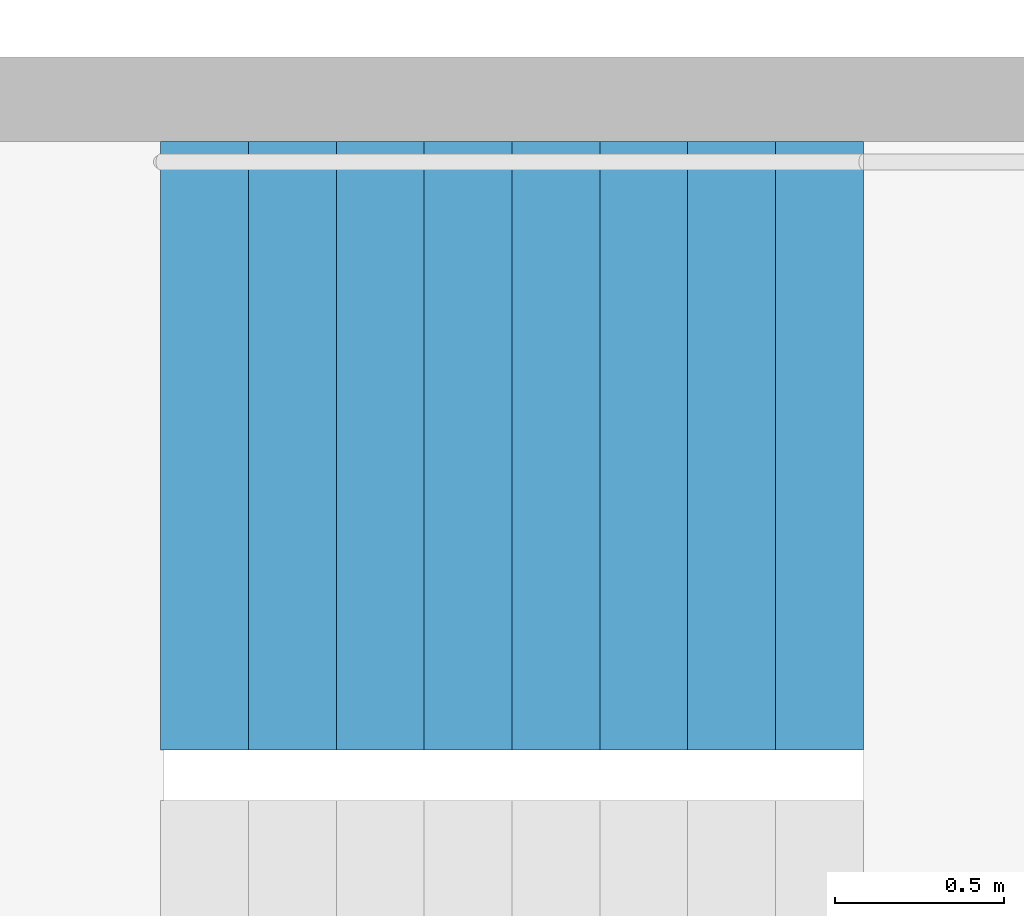
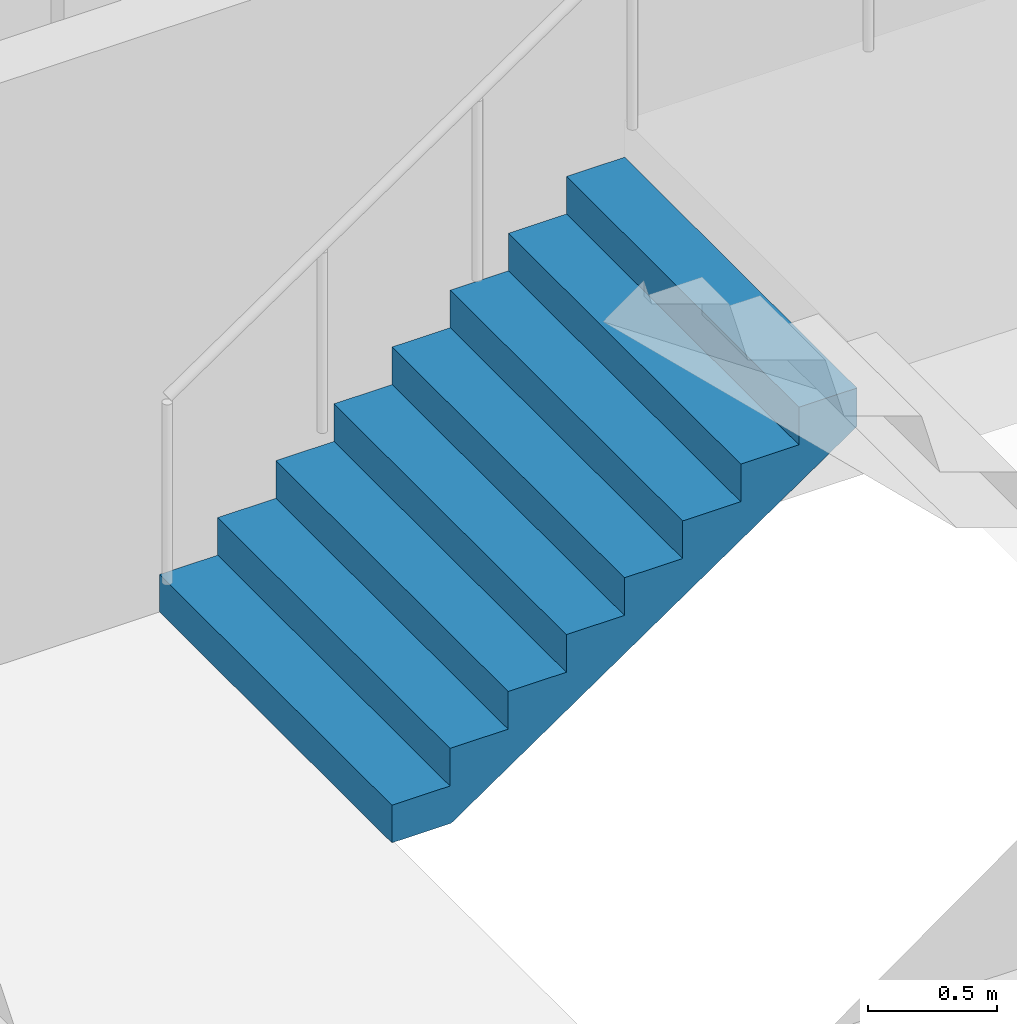
# One storey, part 23 of 30: 1 stair flight, 1 element without a shape of its own.
"""IFC4 building model written with IfcOpenShell, lengths in metres."""

from ifc_helpers import new_model, si_unit, direction, frame, origin, place, context, subcontext, project, spatial, triangles, material, type_object, element, aggregate, save


model = new_model("IFC4")

# Units and contexts
model_context = context("Model", 3, precision=1e-05, world=origin(), true_north=direction((0.0, 1.0)))
body_context = subcontext(model_context, "Body", "Model", "MODEL_VIEW")
ifc_project = project(units=[si_unit("LENGTHUNIT", "METRE"), si_unit("AREAUNIT", "SQUARE_METRE"), si_unit("VOLUMEUNIT", "CUBIC_METRE"), si_unit("PLANEANGLEUNIT", "RADIAN"), si_unit("MASSUNIT", "GRAM", prefix="KILO")], contexts=[model_context])

# Site, building, storey
site_placement = place(None, origin())
site = spatial("IfcSite", under=ifc_project, at=site_placement, CompositionType="ELEMENT")
building_placement = place(site_placement, origin())
building = spatial("IfcBuilding", under=site, at=building_placement, Name="Hakoniwa Tower and Hamabe Station Hall", CompositionType="ELEMENT")
storey_placement = place(building_placement, frame((0.0, 0.0, 245.39990234375)))
storey = spatial("IfcBuildingStorey", under=building, at=storey_placement, Name="L69", CompositionType="ELEMENT", Elevation=245.39990234375)

# Stair, stair flight
ifc_material_1 = material(Name="Concrete C40", Category="concrete")
stair_type = type_object("IfcStairType", Name="ESCAPE STAIR 1800", PredefinedType="HALF_TURN_STAIR", material=ifc_material_1)
stair_placement = place(storey_placement, origin())
stair = element("IfcStair", 1, at=stair_placement, inside=storey, type_object=stair_type, Name="Escape stair ST-4 L69", PredefinedType="HALF_TURN_STAIR")
ifc_material_2 = material(Name="Concrete C40", Category="concrete")
stair_flight_type = type_object("IfcStairFlightType", Name="STAIR FLIGHT 1800", PredefinedType="STRAIGHT", material=ifc_material_2)
stair_flight_placement = place(storey_placement, frame((23.39990234375, -4.64990234375, 0.0), z_axis=(0.0, 0.0, 1.0), x_axis=(1.0, 0.0, 0.0)))
stair_flight = element("IfcStairFlight", 2, at=stair_flight_placement, type_object=stair_flight_type, Name="ST-4 flight 1", NumberOfRisers=9, NumberOfTreads=8, PredefinedType="STRAIGHT", RiserHeight=0.177777778, TreadLength=0.26, context=body_context, shape_type="Tessellation", body=[
    triangles([(0.0, 0.89990234375, 0.0), (0.260009765625, 0.89990234375, 0.0), (0.265625, 0.89990234375, 0.0), (0.52001953125, 0.89990234375, 0.174072265625), (0.780029296875, 0.89990234375, 0.351806640625), (1.0400390625, 0.89990234375, 0.529541015625), (1.300048828125, 0.89990234375, 0.707275390625), (1.56005859375, 0.89990234375, 0.885009765625), (1.820068359375, 0.89990234375, 1.062744140625), (2.080078125, 0.89990234375, 1.24072265625), (2.080078125, 0.89990234375, 1.422119140625), (1.820068359375, 0.89990234375, 1.422119140625), (1.820068359375, 0.89990234375, 1.244384765625), (1.56005859375, 0.89990234375, 1.244384765625), (1.56005859375, 0.89990234375, 1.066650390625), (1.300048828125, 0.89990234375, 1.066650390625), (1.300048828125, 0.89990234375, 0.888916015625), (1.0400390625, 0.89990234375, 0.888916015625), (1.0400390625, 0.89990234375, 0.711181640625), (0.780029296875, 0.89990234375, 0.711181640625), (0.780029296875, 0.89990234375, 0.533447265625), (0.52001953125, 0.89990234375, 0.533447265625), (0.52001953125, 0.89990234375, 0.35546875), (0.265625, 0.89990234375, 0.35546875), (0.260009765625, 0.89990234375, 0.35546875), (0.260009765625, 0.89990234375, 0.177734375), (0.0, 0.89990234375, 0.177734375), (0.0, 0.06005859375, 0.0), (0.260009765625, 0.06005859375, 0.0), (0.265625, 0.06005859375, 0.0), (0.52001953125, 0.06005859375, 0.174072265625), (0.780029296875, 0.06005859375, 0.351806640625), (1.0400390625, 0.06005859375, 0.529541015625), (1.300048828125, 0.06005859375, 0.707275390625), (1.56005859375, 0.06005859375, 0.885009765625), (1.820068359375, 0.06005859375, 1.062744140625), (2.080078125, 0.06005859375, 1.24072265625), (2.080078125, 0.06005859375, 1.422119140625), (1.820068359375, 0.06005859375, 1.422119140625), (1.820068359375, 0.06005859375, 1.244384765625), (1.56005859375, 0.06005859375, 1.244384765625), (1.56005859375, 0.06005859375, 1.066650390625), (1.300048828125, 0.06005859375, 1.066650390625), (1.300048828125, 0.06005859375, 0.888916015625), (1.0400390625, 0.06005859375, 0.888916015625), (1.0400390625, 0.06005859375, 0.711181640625), (0.780029296875, 0.06005859375, 0.711181640625), (0.780029296875, 0.06005859375, 0.533447265625), (0.52001953125, 0.06005859375, 0.533447265625), (0.52001953125, 0.06005859375, 0.35546875), (0.265625, 0.06005859375, 0.35546875), (0.260009765625, 0.06005859375, 0.35546875), (0.260009765625, 0.06005859375, 0.177734375), (0.0, 0.06005859375, 0.177734375), (0.0, 0.04296875, 0.0), (0.260009765625, 0.04296875, 0.0), (0.265625, 0.04296875, 0.0), (0.52001953125, 0.04296875, 0.174072265625), (0.780029296875, 0.04296875, 0.351806640625), (1.0400390625, 0.04296875, 0.529541015625), (1.300048828125, 0.04296875, 0.707275390625), (1.56005859375, 0.04296875, 0.885009765625), (1.820068359375, 0.04296875, 1.062744140625), (2.080078125, 0.04296875, 1.24072265625), (2.080078125, 0.04296875, 1.422119140625), (1.820068359375, 0.04296875, 1.422119140625), (1.820068359375, 0.04296875, 1.244384765625), (1.56005859375, 0.04296875, 1.244384765625), (1.56005859375, 0.04296875, 1.066650390625), (1.300048828125, 0.04296875, 1.066650390625), (1.300048828125, 0.04296875, 0.888916015625), (1.0400390625, 0.04296875, 0.888916015625), (1.0400390625, 0.04296875, 0.711181640625), (0.780029296875, 0.04296875, 0.711181640625), (0.780029296875, 0.04296875, 0.533447265625), (0.52001953125, 0.04296875, 0.533447265625), (0.52001953125, 0.04296875, 0.35546875), (0.265625, 0.04296875, 0.35546875), (0.260009765625, 0.04296875, 0.35546875), (0.260009765625, 0.04296875, 0.177734375), (0.0, 0.04296875, 0.177734375), (0.0, 0.025634765625, 0.0), (0.260009765625, 0.025634765625, 0.0), (0.265625, 0.025634765625, 0.0), (0.52001953125, 0.025634765625, 0.174072265625), (0.780029296875, 0.025634765625, 0.351806640625), (1.0400390625, 0.025634765625, 0.529541015625), (1.300048828125, 0.025634765625, 0.707275390625), (1.56005859375, 0.025634765625, 0.885009765625), (1.820068359375, 0.025634765625, 1.062744140625), (2.080078125, 0.025634765625, 1.24072265625), (2.080078125, 0.025634765625, 1.422119140625), (1.820068359375, 0.025634765625, 1.422119140625), (1.820068359375, 0.025634765625, 1.244384765625), (1.56005859375, 0.025634765625, 1.244384765625), (1.56005859375, 0.025634765625, 1.066650390625), (1.300048828125, 0.025634765625, 1.066650390625), (1.300048828125, 0.025634765625, 0.888916015625), (1.0400390625, 0.025634765625, 0.888916015625), (1.0400390625, 0.025634765625, 0.711181640625), (0.780029296875, 0.025634765625, 0.711181640625), (0.780029296875, 0.025634765625, 0.533447265625), (0.52001953125, 0.025634765625, 0.533447265625), (0.52001953125, 0.025634765625, 0.35546875), (0.265625, 0.025634765625, 0.35546875), (0.260009765625, 0.025634765625, 0.35546875), (0.260009765625, 0.025634765625, 0.177734375), (0.0, 0.025634765625, 0.177734375), (0.0, 0.008544921875, 0.0), (0.260009765625, 0.008544921875, 0.0), (0.265625, 0.008544921875, 0.0), (0.52001953125, 0.008544921875, 0.174072265625), (0.780029296875, 0.008544921875, 0.351806640625), (1.0400390625, 0.008544921875, 0.529541015625), (1.300048828125, 0.008544921875, 0.707275390625), (1.56005859375, 0.008544921875, 0.885009765625), (1.820068359375, 0.008544921875, 1.062744140625), (2.080078125, 0.008544921875, 1.24072265625), (2.080078125, 0.008544921875, 1.422119140625), (1.820068359375, 0.008544921875, 1.422119140625), (1.820068359375, 0.008544921875, 1.244384765625), (1.56005859375, 0.008544921875, 1.244384765625), (1.56005859375, 0.008544921875, 1.066650390625), (1.300048828125, 0.008544921875, 1.066650390625), (1.300048828125, 0.008544921875, 0.888916015625), (1.0400390625, 0.008544921875, 0.888916015625), (1.0400390625, 0.008544921875, 0.711181640625), (0.780029296875, 0.008544921875, 0.711181640625), (0.780029296875, 0.008544921875, 0.533447265625), (0.52001953125, 0.008544921875, 0.533447265625), (0.52001953125, 0.008544921875, 0.35546875), (0.265625, 0.008544921875, 0.35546875), (0.260009765625, 0.008544921875, 0.35546875), (0.260009765625, 0.008544921875, 0.177734375), (0.0, 0.008544921875, 0.177734375), (0.0, -0.008544921875, 0.0), (0.260009765625, -0.008544921875, 0.0), (0.265625, -0.008544921875, 0.0), (0.52001953125, -0.008544921875, 0.174072265625), (0.780029296875, -0.008544921875, 0.351806640625), (1.0400390625, -0.008544921875, 0.529541015625), (1.300048828125, -0.008544921875, 0.707275390625), (1.56005859375, -0.008544921875, 0.885009765625), (1.820068359375, -0.008544921875, 1.062744140625), (2.080078125, -0.008544921875, 1.24072265625), (2.080078125, -0.008544921875, 1.422119140625), (1.820068359375, -0.008544921875, 1.422119140625), (1.820068359375, -0.008544921875, 1.244384765625), (1.56005859375, -0.008544921875, 1.244384765625), (1.56005859375, -0.008544921875, 1.066650390625), (1.300048828125, -0.008544921875, 1.066650390625), (1.300048828125, -0.008544921875, 0.888916015625), (1.0400390625, -0.008544921875, 0.888916015625), (1.0400390625, -0.008544921875, 0.711181640625), (0.780029296875, -0.008544921875, 0.711181640625), (0.780029296875, -0.008544921875, 0.533447265625), (0.52001953125, -0.008544921875, 0.533447265625), (0.52001953125, -0.008544921875, 0.35546875), (0.265625, -0.008544921875, 0.35546875), (0.260009765625, -0.008544921875, 0.35546875), (0.260009765625, -0.008544921875, 0.177734375), (0.0, -0.008544921875, 0.177734375), (0.0, -0.025634765625, 0.0), (0.260009765625, -0.025634765625, 0.0), (0.265625, -0.025634765625, 0.0), (0.52001953125, -0.025634765625, 0.174072265625), (0.780029296875, -0.025634765625, 0.351806640625), (1.0400390625, -0.025634765625, 0.529541015625), (1.300048828125, -0.025634765625, 0.707275390625), (1.56005859375, -0.025634765625, 0.885009765625), (1.820068359375, -0.025634765625, 1.062744140625), (2.080078125, -0.025634765625, 1.24072265625), (2.080078125, -0.025634765625, 1.422119140625), (1.820068359375, -0.025634765625, 1.422119140625), (1.820068359375, -0.025634765625, 1.244384765625), (1.56005859375, -0.025634765625, 1.244384765625), (1.56005859375, -0.025634765625, 1.066650390625), (1.300048828125, -0.025634765625, 1.066650390625), (1.300048828125, -0.025634765625, 0.888916015625), (1.0400390625, -0.025634765625, 0.888916015625), (1.0400390625, -0.025634765625, 0.711181640625), (0.780029296875, -0.025634765625, 0.711181640625), (0.780029296875, -0.025634765625, 0.533447265625), (0.52001953125, -0.025634765625, 0.533447265625), (0.52001953125, -0.025634765625, 0.35546875), (0.265625, -0.025634765625, 0.35546875), (0.260009765625, -0.025634765625, 0.35546875), (0.260009765625, -0.025634765625, 0.177734375), (0.0, -0.025634765625, 0.177734375), (0.0, -0.04296875, 0.0), (0.260009765625, -0.04296875, 0.0), (0.265625, -0.04296875, 0.0), (0.52001953125, -0.04296875, 0.174072265625), (0.780029296875, -0.04296875, 0.351806640625), (1.0400390625, -0.04296875, 0.529541015625), (1.300048828125, -0.04296875, 0.707275390625), (1.56005859375, -0.04296875, 0.885009765625), (1.820068359375, -0.04296875, 1.062744140625), (2.080078125, -0.04296875, 1.24072265625), (2.080078125, -0.04296875, 1.422119140625), (1.820068359375, -0.04296875, 1.422119140625), (1.820068359375, -0.04296875, 1.244384765625), (1.56005859375, -0.04296875, 1.244384765625), (1.56005859375, -0.04296875, 1.066650390625), (1.300048828125, -0.04296875, 1.066650390625), (1.300048828125, -0.04296875, 0.888916015625), (1.0400390625, -0.04296875, 0.888916015625), (1.0400390625, -0.04296875, 0.711181640625), (0.780029296875, -0.04296875, 0.711181640625), (0.780029296875, -0.04296875, 0.533447265625), (0.52001953125, -0.04296875, 0.533447265625), (0.52001953125, -0.04296875, 0.35546875), (0.265625, -0.04296875, 0.35546875), (0.260009765625, -0.04296875, 0.35546875), (0.260009765625, -0.04296875, 0.177734375), (0.0, -0.04296875, 0.177734375), (0.0, -0.06005859375, 0.0), (0.260009765625, -0.06005859375, 0.0), (0.265625, -0.06005859375, 0.0), (0.52001953125, -0.06005859375, 0.174072265625), (0.780029296875, -0.06005859375, 0.351806640625), (1.0400390625, -0.06005859375, 0.529541015625), (1.300048828125, -0.06005859375, 0.707275390625), (1.56005859375, -0.06005859375, 0.885009765625), (1.820068359375, -0.06005859375, 1.062744140625), (2.080078125, -0.06005859375, 1.24072265625), (2.080078125, -0.06005859375, 1.422119140625), (1.820068359375, -0.06005859375, 1.422119140625), (1.820068359375, -0.06005859375, 1.244384765625), (1.56005859375, -0.06005859375, 1.244384765625), (1.56005859375, -0.06005859375, 1.066650390625), (1.300048828125, -0.06005859375, 1.066650390625), (1.300048828125, -0.06005859375, 0.888916015625), (1.0400390625, -0.06005859375, 0.888916015625), (1.0400390625, -0.06005859375, 0.711181640625), (0.780029296875, -0.06005859375, 0.711181640625), (0.780029296875, -0.06005859375, 0.533447265625), (0.52001953125, -0.06005859375, 0.533447265625), (0.52001953125, -0.06005859375, 0.35546875), (0.265625, -0.06005859375, 0.35546875), (0.260009765625, -0.06005859375, 0.35546875), (0.260009765625, -0.06005859375, 0.177734375), (0.0, -0.06005859375, 0.177734375), (0.0, -0.89990234375, 0.0), (0.260009765625, -0.89990234375, 0.0), (0.265625, -0.89990234375, 0.0), (0.52001953125, -0.89990234375, 0.174072265625), (0.780029296875, -0.89990234375, 0.351806640625), (1.0400390625, -0.89990234375, 0.529541015625), (1.300048828125, -0.89990234375, 0.707275390625), (1.56005859375, -0.89990234375, 0.885009765625), (1.820068359375, -0.89990234375, 1.062744140625), (2.080078125, -0.89990234375, 1.24072265625), (2.080078125, -0.89990234375, 1.422119140625), (1.820068359375, -0.89990234375, 1.422119140625), (1.820068359375, -0.89990234375, 1.244384765625), (1.56005859375, -0.89990234375, 1.244384765625), (1.56005859375, -0.89990234375, 1.066650390625), (1.300048828125, -0.89990234375, 1.066650390625), (1.300048828125, -0.89990234375, 0.888916015625), (1.0400390625, -0.89990234375, 0.888916015625), (1.0400390625, -0.89990234375, 0.711181640625), (0.780029296875, -0.89990234375, 0.711181640625), (0.780029296875, -0.89990234375, 0.533447265625), (0.52001953125, -0.89990234375, 0.533447265625), (0.52001953125, -0.89990234375, 0.35546875), (0.265625, -0.89990234375, 0.35546875), (0.260009765625, -0.89990234375, 0.35546875), (0.260009765625, -0.89990234375, 0.177734375), (0.0, -0.89990234375, 0.177734375)], [[2, 27, 26], [245, 269, 270], [2, 1, 27], [245, 270, 244], [3, 25, 24], [246, 267, 268], [3, 26, 25], [246, 268, 269], [3, 2, 26], [246, 269, 245], [4, 24, 23], [247, 266, 267], [4, 3, 24], [247, 267, 246], [5, 22, 21], [248, 264, 265], [5, 23, 22], [248, 265, 266], [5, 4, 23], [248, 266, 247], [6, 20, 19], [249, 262, 263], [6, 21, 20], [249, 263, 264], [6, 5, 21], [249, 264, 248], [7, 18, 17], [250, 260, 261], [7, 19, 18], [250, 261, 262], [7, 6, 19], [250, 262, 249], [8, 16, 15], [251, 258, 259], [8, 17, 16], [251, 259, 260], [8, 7, 17], [251, 260, 250], [9, 14, 13], [252, 256, 257], [9, 15, 14], [252, 257, 258], [9, 8, 15], [252, 258, 251], [10, 12, 11], [253, 254, 255], [10, 13, 12], [253, 255, 256], [10, 9, 13], [253, 256, 252], [1, 2, 29], [1, 29, 28], [28, 29, 56], [28, 56, 55], [55, 56, 83], [55, 83, 82], [82, 83, 110], [82, 110, 109], [109, 110, 137], [109, 137, 136], [136, 137, 164], [136, 164, 163], [163, 164, 191], [163, 191, 190], [190, 191, 218], [190, 218, 217], [217, 218, 245], [217, 245, 244], [2, 3, 30], [2, 30, 29], [29, 30, 57], [29, 57, 56], [56, 57, 84], [56, 84, 83], [83, 84, 111], [83, 111, 110], [110, 111, 138], [110, 138, 137], [137, 138, 165], [137, 165, 164], [164, 165, 192], [164, 192, 191], [191, 192, 219], [191, 219, 218], [218, 219, 246], [218, 246, 245], [3, 4, 31], [3, 31, 30], [30, 31, 58], [30, 58, 57], [57, 58, 85], [57, 85, 84], [84, 85, 112], [84, 112, 111], [111, 112, 139], [111, 139, 138], [138, 139, 166], [138, 166, 165], [165, 166, 193], [165, 193, 192], [192, 193, 220], [192, 220, 219], [219, 220, 247], [219, 247, 246], [4, 5, 32], [4, 32, 31], [31, 32, 59], [31, 59, 58], [58, 59, 86], [58, 86, 85], [85, 86, 113], [85, 113, 112], [112, 113, 140], [112, 140, 139], [139, 140, 167], [139, 167, 166], [166, 167, 194], [166, 194, 193], [193, 194, 221], [193, 221, 220], [220, 221, 248], [220, 248, 247], [5, 6, 33], [5, 33, 32], [32, 33, 60], [32, 60, 59], [59, 60, 87], [59, 87, 86], [86, 87, 114], [86, 114, 113], [113, 114, 141], [113, 141, 140], [140, 141, 168], [140, 168, 167], [167, 168, 195], [167, 195, 194], [194, 195, 222], [194, 222, 221], [221, 222, 249], [221, 249, 248], [6, 7, 34], [6, 34, 33], [33, 34, 61], [33, 61, 60], [60, 61, 88], [60, 88, 87], [87, 88, 115], [87, 115, 114], [114, 115, 142], [114, 142, 141], [141, 142, 169], [141, 169, 168], [168, 169, 196], [168, 196, 195], [195, 196, 223], [195, 223, 222], [222, 223, 250], [222, 250, 249], [7, 8, 35], [7, 35, 34], [34, 35, 62], [34, 62, 61], [61, 62, 89], [61, 89, 88], [88, 89, 116], [88, 116, 115], [115, 116, 143], [115, 143, 142], [142, 143, 170], [142, 170, 169], [169, 170, 197], [169, 197, 196], [196, 197, 224], [196, 224, 223], [223, 224, 251], [223, 251, 250], [8, 9, 36], [8, 36, 35], [35, 36, 63], [35, 63, 62], [62, 63, 90], [62, 90, 89], [89, 90, 117], [89, 117, 116], [116, 117, 144], [116, 144, 143], [143, 144, 171], [143, 171, 170], [170, 171, 198], [170, 198, 197], [197, 198, 225], [197, 225, 224], [224, 225, 252], [224, 252, 251], [9, 10, 37], [9, 37, 36], [36, 37, 64], [36, 64, 63], [63, 64, 91], [63, 91, 90], [90, 91, 118], [90, 118, 117], [117, 118, 145], [117, 145, 144], [144, 145, 172], [144, 172, 171], [171, 172, 199], [171, 199, 198], [198, 199, 226], [198, 226, 225], [225, 226, 253], [225, 253, 252], [10, 11, 38], [10, 38, 37], [37, 38, 65], [37, 65, 64], [64, 65, 92], [64, 92, 91], [91, 92, 119], [91, 119, 118], [118, 119, 146], [118, 146, 145], [145, 146, 173], [145, 173, 172], [172, 173, 200], [172, 200, 199], [199, 200, 227], [199, 227, 226], [226, 227, 254], [226, 254, 253], [11, 12, 39], [11, 39, 38], [38, 39, 66], [38, 66, 65], [65, 66, 93], [65, 93, 92], [92, 93, 120], [92, 120, 119], [119, 120, 147], [119, 147, 146], [146, 147, 174], [146, 174, 173], [173, 174, 201], [173, 201, 200], [200, 201, 228], [200, 228, 227], [227, 228, 255], [227, 255, 254], [12, 13, 40], [12, 40, 39], [39, 40, 67], [39, 67, 66], [66, 67, 94], [66, 94, 93], [93, 94, 121], [93, 121, 120], [120, 121, 148], [120, 148, 147], [147, 148, 175], [147, 175, 174], [174, 175, 202], [174, 202, 201], [201, 202, 229], [201, 229, 228], [228, 229, 256], [228, 256, 255], [13, 14, 41], [13, 41, 40], [40, 41, 68], [40, 68, 67], [67, 68, 95], [67, 95, 94], [94, 95, 122], [94, 122, 121], [121, 122, 149], [121, 149, 148], [148, 149, 176], [148, 176, 175], [175, 176, 203], [175, 203, 202], [202, 203, 230], [202, 230, 229], [229, 230, 257], [229, 257, 256], [14, 15, 42], [14, 42, 41], [41, 42, 69], [41, 69, 68], [68, 69, 96], [68, 96, 95], [95, 96, 123], [95, 123, 122], [122, 123, 150], [122, 150, 149], [149, 150, 177], [149, 177, 176], [176, 177, 204], [176, 204, 203], [203, 204, 231], [203, 231, 230], [230, 231, 258], [230, 258, 257], [15, 16, 43], [15, 43, 42], [42, 43, 70], [42, 70, 69], [69, 70, 97], [69, 97, 96], [96, 97, 124], [96, 124, 123], [123, 124, 151], [123, 151, 150], [150, 151, 178], [150, 178, 177], [177, 178, 205], [177, 205, 204], [204, 205, 232], [204, 232, 231], [231, 232, 259], [231, 259, 258], [16, 17, 44], [16, 44, 43], [43, 44, 71], [43, 71, 70], [70, 71, 98], [70, 98, 97], [97, 98, 125], [97, 125, 124], [124, 125, 152], [124, 152, 151], [151, 152, 179], [151, 179, 178], [178, 179, 206], [178, 206, 205], [205, 206, 233], [205, 233, 232], [232, 233, 260], [232, 260, 259], [17, 18, 45], [17, 45, 44], [44, 45, 72], [44, 72, 71], [71, 72, 99], [71, 99, 98], [98, 99, 126], [98, 126, 125], [125, 126, 153], [125, 153, 152], [152, 153, 180], [152, 180, 179], [179, 180, 207], [179, 207, 206], [206, 207, 234], [206, 234, 233], [233, 234, 261], [233, 261, 260], [18, 19, 46], [18, 46, 45], [45, 46, 73], [45, 73, 72], [72, 73, 100], [72, 100, 99], [99, 100, 127], [99, 127, 126], [126, 127, 154], [126, 154, 153], [153, 154, 181], [153, 181, 180], [180, 181, 208], [180, 208, 207], [207, 208, 235], [207, 235, 234], [234, 235, 262], [234, 262, 261], [19, 20, 47], [19, 47, 46], [46, 47, 74], [46, 74, 73], [73, 74, 101], [73, 101, 100], [100, 101, 128], [100, 128, 127], [127, 128, 155], [127, 155, 154], [154, 155, 182], [154, 182, 181], [181, 182, 209], [181, 209, 208], [208, 209, 236], [208, 236, 235], [235, 236, 263], [235, 263, 262], [20, 21, 48], [20, 48, 47], [47, 48, 75], [47, 75, 74], [74, 75, 102], [74, 102, 101], [101, 102, 129], [101, 129, 128], [128, 129, 156], [128, 156, 155], [155, 156, 183], [155, 183, 182], [182, 183, 210], [182, 210, 209], [209, 210, 237], [209, 237, 236], [236, 237, 264], [236, 264, 263], [21, 22, 49], [21, 49, 48], [48, 49, 76], [48, 76, 75], [75, 76, 103], [75, 103, 102], [102, 103, 130], [102, 130, 129], [129, 130, 157], [129, 157, 156], [156, 157, 184], [156, 184, 183], [183, 184, 211], [183, 211, 210], [210, 211, 238], [210, 238, 237], [237, 238, 265], [237, 265, 264], [22, 23, 50], [22, 50, 49], [49, 50, 77], [49, 77, 76], [76, 77, 104], [76, 104, 103], [103, 104, 131], [103, 131, 130], [130, 131, 158], [130, 158, 157], [157, 158, 185], [157, 185, 184], [184, 185, 212], [184, 212, 211], [211, 212, 239], [211, 239, 238], [238, 239, 266], [238, 266, 265], [23, 24, 51], [23, 51, 50], [50, 51, 78], [50, 78, 77], [77, 78, 105], [77, 105, 104], [104, 105, 132], [104, 132, 131], [131, 132, 159], [131, 159, 158], [158, 159, 186], [158, 186, 185], [185, 186, 213], [185, 213, 212], [212, 213, 240], [212, 240, 239], [239, 240, 267], [239, 267, 266], [24, 25, 52], [24, 52, 51], [51, 52, 79], [51, 79, 78], [78, 79, 106], [78, 106, 105], [105, 106, 133], [105, 133, 132], [132, 133, 160], [132, 160, 159], [159, 160, 187], [159, 187, 186], [186, 187, 214], [186, 214, 213], [213, 214, 241], [213, 241, 240], [240, 241, 268], [240, 268, 267], [25, 26, 53], [25, 53, 52], [52, 53, 80], [52, 80, 79], [79, 80, 107], [79, 107, 106], [106, 107, 134], [106, 134, 133], [133, 134, 161], [133, 161, 160], [160, 161, 188], [160, 188, 187], [187, 188, 215], [187, 215, 214], [214, 215, 242], [214, 242, 241], [241, 242, 269], [241, 269, 268], [26, 27, 54], [26, 54, 53], [53, 54, 81], [53, 81, 80], [80, 81, 108], [80, 108, 107], [107, 108, 135], [107, 135, 134], [134, 135, 162], [134, 162, 161], [161, 162, 189], [161, 189, 188], [188, 189, 216], [188, 216, 215], [215, 216, 243], [215, 243, 242], [242, 243, 270], [242, 270, 269], [27, 1, 28], [27, 28, 54], [54, 28, 55], [54, 55, 81], [81, 55, 82], [81, 82, 108], [108, 82, 109], [108, 109, 135], [135, 109, 136], [135, 136, 162], [162, 136, 163], [162, 163, 189], [189, 163, 190], [189, 190, 216], [216, 190, 217], [216, 217, 243], [243, 217, 244], [243, 244, 270]], closed=True),
])
aggregate(stair, [stair_flight])

save(model, "model.ifc")
